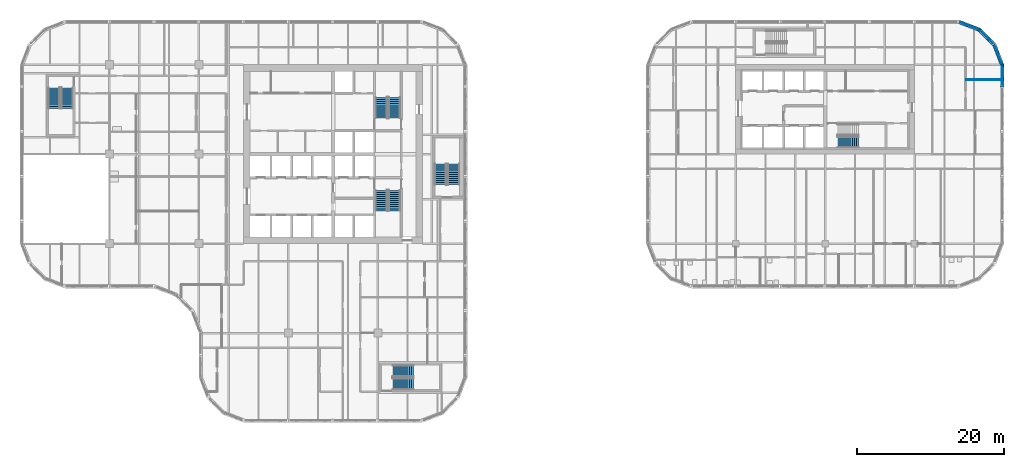
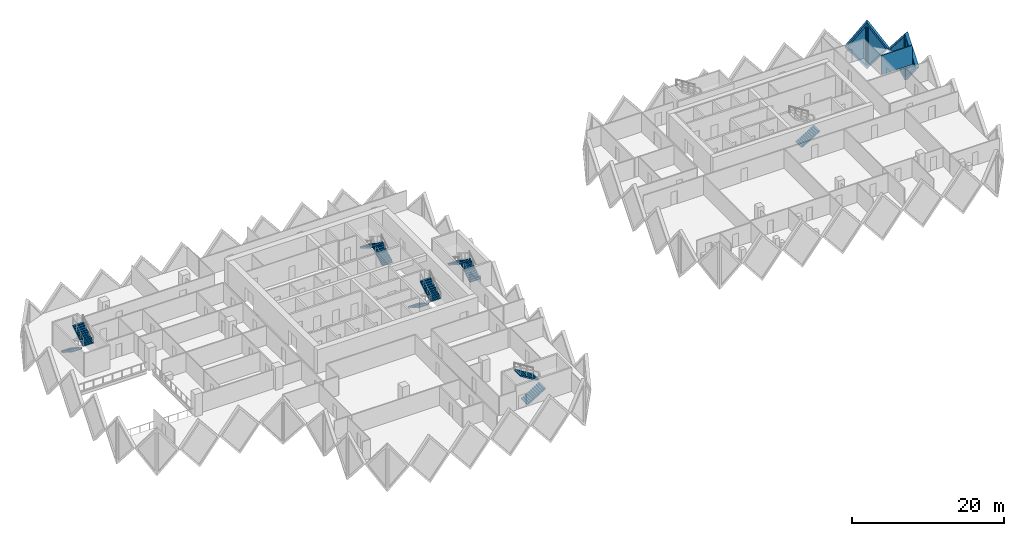
# One storey, part 16 of 20: 11 stair flights, 5 walls, 4 plates, 4 openings, 6 elements without a shape of their own.
"""IFC4 building model written with IfcOpenShell, lengths in metres."""

from ifc_helpers import new_model, si_unit, direction, frame, frame_2d, origin, place, context, subcontext, project, spatial, polyline, rectangle, outline, extrude, faceted_brep, source, transform, mapped, material, layer, layer_set, type_object, element, fill, aggregate, save


model = new_model("IFC4")

# Units and contexts
model_context = context("Model", 3, precision=1e-05, world=origin(), true_north=direction((0.0, 1.0)))
body_context = subcontext(model_context, "Body", "Model", "MODEL_VIEW")
ifc_project = project(units=[si_unit("LENGTHUNIT", "METRE"), si_unit("AREAUNIT", "SQUARE_METRE"), si_unit("VOLUMEUNIT", "CUBIC_METRE"), si_unit("PLANEANGLEUNIT", "RADIAN"), si_unit("MASSUNIT", "GRAM", prefix="KILO")], contexts=[model_context])

# Site, building, storey
site_placement = place(None, origin())
site = spatial("IfcSite", under=ifc_project, at=site_placement, CompositionType="ELEMENT")
building_placement = place(site_placement, origin())
building = spatial("IfcBuilding", under=site, at=building_placement, Name="Tessera Gate Towers", CompositionType="ELEMENT")
storey_placement = place(building_placement, frame((0.0, 0.0, 52.39990234375)))
storey = spatial("IfcBuildingStorey", under=building, at=storey_placement, Name="L12", CompositionType="ELEMENT", Elevation=52.39990234375)

# Wall
ifc_material_1 = material(Name="Gypsum board on steel studs", Category="steel")
ifc_layer_1 = layer(ifc_material_1, 0.10009765625)
ifc_layer_set_1 = layer_set([ifc_layer_1], Name="PARTITION 100")
wall_type_1 = type_object("IfcWallType", Name="PARTITION 100", PredefinedType="PARTITIONING", material=ifc_layer_set_1)
wall_1_placement = place(storey_placement, frame((129.02587890625, 46.7548828125, 0.0), z_axis=(0.0, 0.0, 1.0), x_axis=(1.0, 0.0, 0.0)))
element("IfcWall", 1, at=wall_1_placement, inside=storey, type_object=wall_type_1, Name="T2-L12-PW-036", PredefinedType="PARTITIONING", context=body_context, shape_type="SweptSolid", body=[
    extrude(rectangle(XDim=4.674072265625, YDim=0.10009765625, at=frame_2d((2.3369140625, 0.0))), origin(), (0.0, 0.0, 1.0), 3.067138671875),
])

# Wall, opening, plate
ifc_material_2 = material(Name="Precast concrete C60/75 white", Category="concrete")
ifc_layer_2 = layer(ifc_material_2, 0.5)
ifc_layer_set_2 = layer_set([ifc_layer_2], Name="TS3 corner tessera")
wall_type_2 = type_object("IfcWallType", Name="TS3 corner tessera", PredefinedType="SOLIDWALL", material=ifc_layer_set_2)
shared_shape_1 = source(origin(), body_context, "Body", "Brep", [
    faceted_brep([(3.00341796875, -0.25, 0.0), (3.050048828125, -0.25, 0.06005859375), (3.050048828125, -0.25, 7.539794921875), (3.00341796875, -0.25, 7.599853515625), (0.0, -0.25, 3.7998046875), (0.0, 0.25, 3.7998046875), (2.956787109375, 0.25, 7.541015625), (2.956787109375, 0.25, 0.058837890625), (3.00341796875, 0.000244140625, 0.0), (3.00341796875, 0.000244140625, 7.599853515625)], [[[0, 1, 2, 3, 4]], [[5, 6, 7]], [[1, 0, 8]], [[9, 3, 2]], [[6, 5, 4, 3, 9]], [[5, 7, 8, 0, 4]], [[1, 8, 7, 6, 9, 2]]]),
])
wall_2_placement = place(storey_placement, frame((133.949951171875, 45.75, -3.7998046875), z_axis=(0.0, 0.0, 1.0), x_axis=(0.0, 1.0, 0.0)))
wall_2 = element("IfcWall", 2, at=wall_2_placement, inside=storey, type_object=wall_type_2, Name="Precast corner tessera T2 TS3-0165", PredefinedType="SOLIDWALL", context=body_context, shape_type="MappedRepresentation", body=[
    mapped(shared_shape_1, transform((0.0, 0.0, 0.0), scale=1.0)),
])
shared_shape_2 = source(origin(), body_context, "Body", "SweptSolid", [
    extrude(outline(polyline([(2.803466796875, 6.943603515625), (0.318603515625, 3.7998046875), (2.803466796875, 0.656005859375), (2.803466796875, 6.943603515625)])), frame((0.0, 0.260009765625, 0.0), z_axis=(0.0, -1.0, 0.0), x_axis=(1.0, 0.0, 0.0)), (0.0, 0.0, 1.0), 0.52001953125),
])
opening_1_placement = place(wall_2_placement, origin())
opening_1 = element("IfcOpeningElement", 3, at=opening_1_placement, cuts=wall_2, Name="Opening T2-PL2-0251", PredefinedType="OPENING", context=body_context, shape_type="MappedRepresentation", body=[
    mapped(shared_shape_2, transform((0.0, 0.0, 0.0), scale=1.0)),
])
ifc_material_3 = material(Name="Low-e laminated glass", Category="glass")
ifc_layer_3 = layer(ifc_material_3, 0.06005859375)
ifc_layer_set_3 = layer_set([ifc_layer_3], Name="PL2 rhombic pane")
plate_type = type_object("IfcPlateType", Name="PL2 rhombic pane", PredefinedType="SHEET", material=ifc_layer_set_3)
shared_shape_3 = source(origin(), body_context, "Body", "SweptSolid", [
    extrude(outline(polyline([(2.803466796875, 6.943603515625), (0.318603515625, 3.7998046875), (2.803466796875, 0.656005859375), (2.803466796875, 6.943603515625)])), frame((0.0, 0.030029296875, 0.0), z_axis=(0.0, -1.0, 0.0), x_axis=(1.0, 0.0, 0.0)), (0.0, 0.0, 1.0), 0.06005859375),
])
plate_1_placement = place(opening_1_placement, origin())
plate_1 = element("IfcPlate", 4, at=plate_1_placement, inside=storey, type_object=plate_type, Name="Glass pane T2 PL2-0251", PredefinedType="SHEET", context=body_context, shape_type="MappedRepresentation", body=[
    mapped(shared_shape_3, transform((0.0, 0.0, 0.0), scale=1.0)),
])
fill(opening_1, plate_1)

shared_shape_4 = source(origin(), body_context, "Body", "Brep", [
    faceted_brep([(0.046630859375, -0.25, 0.0), (2.9970703125, -0.25, 3.7998046875), (0.046630859375, -0.25, 7.599853515625), (0.0, -0.25, 7.541015625), (0.0, -0.25, 0.058837890625), (0.09326171875, 0.25, 7.539794921875), (2.9443359375, 0.25, 3.867919921875), (2.9443359375, 0.25, 3.731689453125), (0.09326171875, 0.25, 0.06005859375), (2.9970703125, 0.00048828125, 3.7998046875), (0.046630859375, 0.0, 0.0), (0.046630859375, 0.0, 7.599853515625)], [[[0, 1, 2, 3, 4]], [[5, 6, 7, 8]], [[8, 7, 9, 1, 0, 10]], [[6, 5, 11, 2, 1, 9]], [[3, 2, 11]], [[10, 0, 4]], [[8, 10, 4, 3, 11, 5]], [[9, 7, 6]]]),
])
wall_3_placement = place(storey_placement, frame((133.966796875, 48.7099609375, -3.7998046875), z_axis=(0.0, 0.0, 1.0), x_axis=(-0.359901446078, 0.932990326376, 0.0)))
wall_3 = element("IfcWall", 5, at=wall_3_placement, inside=storey, type_object=wall_type_2, Name="Precast corner tessera T2 TS3-0166", PredefinedType="SOLIDWALL", context=body_context, shape_type="MappedRepresentation", body=[
    mapped(shared_shape_4, transform((0.0, 0.0, 0.0), scale=1.0)),
])
shared_shape_5 = source(origin(), body_context, "Body", "SweptSolid", [
    extrude(outline(polyline([(0.24658203125, 0.6650390625), (2.6806640625, 3.7998046875), (0.24658203125, 6.9345703125), (0.24658203125, 0.6650390625)])), frame((0.0, 0.260009765625, 0.0), z_axis=(0.0, -1.0, 0.0), x_axis=(1.0, 0.0, 0.0)), (0.0, 0.0, 1.0), 0.52001953125),
])
opening_2_placement = place(wall_3_placement, origin())
opening_2 = element("IfcOpeningElement", 6, at=opening_2_placement, cuts=wall_3, Name="Opening T2-PL2-0252", PredefinedType="OPENING", context=body_context, shape_type="MappedRepresentation", body=[
    mapped(shared_shape_5, transform((0.0, 0.0, 0.0), scale=1.0)),
])
shared_shape_6 = source(origin(), body_context, "Body", "SweptSolid", [
    extrude(outline(polyline([(0.24658203125, 0.6650390625), (2.6806640625, 3.7998046875), (0.24658203125, 6.9345703125), (0.24658203125, 0.6650390625)])), frame((0.0, 0.030029296875, 0.0), z_axis=(0.0, -1.0, 0.0), x_axis=(1.0, 0.0, 0.0)), (0.0, 0.0, 1.0), 0.06005859375),
])
plate_2_placement = place(opening_2_placement, origin())
plate_2 = element("IfcPlate", 7, at=plate_2_placement, inside=storey, type_object=plate_type, Name="Glass pane T2 PL2-0252", PredefinedType="SHEET", context=body_context, shape_type="MappedRepresentation", body=[
    mapped(shared_shape_6, transform((0.0, 0.0, 0.0), scale=1.0)),
])
fill(opening_2, plate_2)

shared_shape_7 = source(origin(), body_context, "Body", "Brep", [
    faceted_brep([(2.944091796875, -0.25, 0.0), (2.9970703125, -0.25, 0.068115234375), (2.9970703125, -0.25, 7.53173828125), (2.944091796875, -0.25, 7.599853515625), (0.0, -0.25, 3.7998046875), (0.052978515625, 0.25, 3.8681640625), (2.89111328125, 0.25, 7.53173828125), (2.89111328125, 0.25, 0.068115234375), (0.052978515625, 0.25, 3.7314453125), (2.944091796875, 0.000244140625, 0.0), (2.944091796875, 0.000244140625, 7.599853515625), (0.0, 0.0, 3.7998046875)], [[[0, 1, 2, 3, 4]], [[5, 6, 7, 8]], [[1, 0, 9]], [[10, 3, 2]], [[6, 5, 11, 4, 3, 10]], [[8, 7, 9, 0, 4, 11]], [[8, 11, 5]], [[1, 9, 7, 6, 10, 2]]]),
])
wall_4_placement = place(storey_placement, frame((132.88818359375, 51.50634765625, -3.7998046875), z_axis=(0.0, 0.0, 1.0), x_axis=(-0.707147509625, 0.707066050402, 0.0)))
wall_4 = element("IfcWall", 8, at=wall_4_placement, inside=storey, type_object=wall_type_2, Name="Precast corner tessera T2 TS3-0167", PredefinedType="SOLIDWALL", context=body_context, shape_type="MappedRepresentation", body=[
    mapped(shared_shape_7, transform((0.0, 0.0, 0.0), scale=1.0)),
])
shared_shape_8 = source(origin(), body_context, "Body", "SweptSolid", [
    extrude(outline(polyline([(2.744140625, 6.93359375), (0.316162109375, 3.7998046875), (2.744140625, 0.666259765625), (2.744140625, 6.93359375)])), frame((0.0, 0.260009765625, 0.0), z_axis=(0.0, -1.0, 0.0), x_axis=(1.0, 0.0, 0.0)), (0.0, 0.0, 1.0), 0.52001953125),
])
opening_3_placement = place(wall_4_placement, origin())
opening_3 = element("IfcOpeningElement", 9, at=opening_3_placement, cuts=wall_4, Name="Opening T2-PL2-0253", PredefinedType="OPENING", context=body_context, shape_type="MappedRepresentation", body=[
    mapped(shared_shape_8, transform((0.0, 0.0, 0.0), scale=1.0)),
])
shared_shape_9 = source(origin(), body_context, "Body", "SweptSolid", [
    extrude(outline(polyline([(2.744140625, 6.93359375), (0.316162109375, 3.7998046875), (2.744140625, 0.666259765625), (2.744140625, 6.93359375)])), frame((0.0, 0.030029296875, 0.0), z_axis=(0.0, -1.0, 0.0), x_axis=(1.0, 0.0, 0.0)), (0.0, 0.0, 1.0), 0.06005859375),
])
plate_3_placement = place(opening_3_placement, origin())
plate_3 = element("IfcPlate", 10, at=plate_3_placement, inside=storey, type_object=plate_type, Name="Glass pane T2 PL2-0253", PredefinedType="SHEET", context=body_context, shape_type="MappedRepresentation", body=[
    mapped(shared_shape_9, transform((0.0, 0.0, 0.0), scale=1.0)),
])
fill(opening_3, plate_3)

shared_shape_10 = source(origin(), body_context, "Body", "Brep", [
    faceted_brep([(0.052978515625, -0.25, 0.0), (3.00341796875, -0.25, 3.7998046875), (0.052978515625, -0.25, 7.599853515625), (0.0, -0.25, 7.531494140625), (0.0, -0.25, 0.068359375), (0.10595703125, 0.25, 7.53173828125), (2.95703125, 0.25, 3.859619140625), (2.95703125, 0.25, 3.739990234375), (0.10595703125, 0.25, 0.068115234375), (3.00341796875, 0.00048828125, 3.7998046875), (0.052978515625, 0.0, 0.0), (0.052978515625, 0.0, 7.599853515625)], [[[0, 1, 2, 3, 4]], [[5, 6, 7, 8]], [[8, 7, 9, 1, 0, 10]], [[6, 5, 11, 2, 1, 9]], [[3, 2, 11]], [[10, 0, 4]], [[8, 10, 4, 3, 11, 5]], [[9, 7, 6]]]),
])
wall_5_placement = place(storey_placement, frame((130.855712890625, 53.569091796875, -3.7998046875), z_axis=(0.0, 0.0, 1.0), x_axis=(-0.933007896601, 0.359855894603, 0.0)))
wall_5 = element("IfcWall", 11, at=wall_5_placement, inside=storey, type_object=wall_type_2, Name="Precast corner tessera T2 TS3-0168", PredefinedType="SOLIDWALL", context=body_context, shape_type="MappedRepresentation", body=[
    mapped(shared_shape_10, transform((0.0, 0.0, 0.0), scale=1.0)),
])
shared_shape_11 = source(origin(), body_context, "Body", "SweptSolid", [
    extrude(outline(polyline([(0.2529296875, 0.6650390625), (2.68701171875, 3.7998046875), (0.2529296875, 6.9345703125), (0.2529296875, 0.6650390625)])), frame((0.0, 0.260009765625, 0.0), z_axis=(0.0, -1.0, 0.0), x_axis=(1.0, 0.0, 0.0)), (0.0, 0.0, 1.0), 0.52001953125),
])
opening_4_placement = place(wall_5_placement, origin())
opening_4 = element("IfcOpeningElement", 12, at=opening_4_placement, cuts=wall_5, Name="Opening T2-PL2-0254", PredefinedType="OPENING", context=body_context, shape_type="MappedRepresentation", body=[
    mapped(shared_shape_11, transform((0.0, 0.0, 0.0), scale=1.0)),
])
shared_shape_12 = source(origin(), body_context, "Body", "SweptSolid", [
    extrude(outline(polyline([(0.2529296875, 0.6650390625), (2.68701171875, 3.7998046875), (0.2529296875, 6.9345703125), (0.2529296875, 0.6650390625)])), frame((0.0, 0.030029296875, 0.0), z_axis=(0.0, -1.0, 0.0), x_axis=(1.0, 0.0, 0.0)), (0.0, 0.0, 1.0), 0.06005859375),
])
plate_4_placement = place(opening_4_placement, origin())
plate_4 = element("IfcPlate", 13, at=plate_4_placement, inside=storey, type_object=plate_type, Name="Glass pane T2 PL2-0254", PredefinedType="SHEET", context=body_context, shape_type="MappedRepresentation", body=[
    mapped(shared_shape_12, transform((0.0, 0.0, 0.0), scale=1.0)),
])
fill(opening_4, plate_4)

# Stair, stair flights
ifc_material_4 = material(Name="Concrete C40/50", Category="concrete")
stair_type_1 = type_object("IfcStairType", Name="EXIT STAIR ST1 1600", PredefinedType="HALF_TURN_STAIR", material=ifc_material_4)
stair_1_placement = place(storey_placement, origin())
stair_1 = element("IfcStair", 14, at=stair_1_placement, inside=storey, type_object=stair_type_1, Name="L12 Protected Exit Stair ST1", PredefinedType="HALF_TURN_STAIR")
ifc_material_5 = material(Name="Concrete C40/50", Category="concrete")
stair_flight_type_1 = type_object("IfcStairFlightType", Name="EXIT STAIR FLIGHT ST1 1600", PredefinedType="STRAIGHT", material=ifc_material_5)
stair_flight_1_placement = place(storey_placement, frame((49.27490234375, 31.675048828125, 0.0), z_axis=(0.0, 0.0, 1.0), x_axis=(0.0, -1.0, 0.0)))
stair_flight_1 = element("IfcStairFlight", 15, at=stair_flight_1_placement, type_object=stair_flight_type_1, Name="ST1 flight 1", NumberOfRisers=11, NumberOfTreads=10, PredefinedType="STRAIGHT", RiserHeight=0.172727273, TreadLength=0.28, context=body_context, shape_type="SweptSolid", body=[
    extrude(outline(polyline([(0.0, 0.0), (0.0, 0.172607421875), (0.280029296875, 0.172607421875), (0.280029296875, 0.345458984375), (0.56005859375, 0.345458984375), (0.56005859375, 0.51806640625), (0.840087890625, 0.51806640625), (0.840087890625, 0.69091796875), (1.1201171875, 0.69091796875), (1.1201171875, 0.863525390625), (1.39990234375, 0.863525390625), (1.39990234375, 1.036376953125), (1.679931640625, 1.036376953125), (1.679931640625, 1.208984375), (1.9599609375, 1.208984375), (1.9599609375, 1.3818359375), (2.239990234375, 1.3818359375), (2.239990234375, 1.554443359375), (2.52001953125, 1.554443359375), (2.52001953125, 1.727294921875), (2.800048828125, 1.727294921875), (2.800048828125, 1.89990234375), (2.800048828125, 1.551025390625), (0.285400390625, 0.0), (0.0, 0.0)])), frame((0.0, 0.800048828125, 0.0), z_axis=(0.0, -1.0, 0.0), x_axis=(1.0, 0.0, 0.0)), (0.0, 0.0, 1.0), 1.60009765625),
])
stair_flight_2_placement = place(storey_placement, frame((51.074951171875, 28.875, 1.900146484375), z_axis=(0.0, 0.0, 1.0), x_axis=(0.0, 1.0, 0.0)))
stair_flight_2 = element("IfcStairFlight", 16, at=stair_flight_2_placement, type_object=stair_flight_type_1, Name="ST1 flight 2", NumberOfRisers=11, NumberOfTreads=10, PredefinedType="STRAIGHT", RiserHeight=0.172727273, TreadLength=0.28, context=body_context, shape_type="SweptSolid", body=[
    extrude(outline(polyline([(0.0, 0.0), (0.0, 0.172607421875), (0.280029296875, 0.172607421875), (0.280029296875, 0.345458984375), (0.56005859375, 0.345458984375), (0.56005859375, 0.51806640625), (0.840087890625, 0.51806640625), (0.840087890625, 0.69091796875), (1.1201171875, 0.69091796875), (1.1201171875, 0.863525390625), (1.39990234375, 0.863525390625), (1.39990234375, 1.036376953125), (1.679931640625, 1.036376953125), (1.679931640625, 1.208984375), (1.9599609375, 1.208984375), (1.9599609375, 1.3818359375), (2.239990234375, 1.3818359375), (2.239990234375, 1.554443359375), (2.52001953125, 1.554443359375), (2.52001953125, 1.727294921875), (2.800048828125, 1.727294921875), (2.800048828125, 1.89990234375), (2.800048828125, 1.551025390625), (0.285400390625, 0.0), (0.0, 0.0)])), frame((0.0, 0.800048828125, 0.0), z_axis=(0.0, -1.0, 0.0), x_axis=(1.0, 0.0, 0.0)), (0.0, 0.0, 1.0), 1.60009765625),
])
aggregate(stair_1, [stair_flight_1, stair_flight_2])

ifc_material_6 = material(Name="Concrete C40/50", Category="concrete")
stair_type_2 = type_object("IfcStairType", Name="EXIT STAIR ST2 1600", PredefinedType="HALF_TURN_STAIR", material=ifc_material_6)
stair_2_placement = place(storey_placement, origin())
stair_2 = element("IfcStair", 17, at=stair_2_placement, inside=storey, type_object=stair_type_2, Name="L12 Protected Exit Stair ST2", PredefinedType="HALF_TURN_STAIR")
ifc_material_7 = material(Name="Concrete C40/50", Category="concrete")
stair_flight_type_2 = type_object("IfcStairFlightType", Name="EXIT STAIR FLIGHT ST2 1600", PredefinedType="STRAIGHT", material=ifc_material_7)
stair_flight_3_placement = place(storey_placement, frame((51.074951171875, 41.52490234375, 0.0), z_axis=(0.0, 0.0, 1.0), x_axis=(0.0, 1.0, 0.0)))
stair_flight_3 = element("IfcStairFlight", 18, at=stair_flight_3_placement, type_object=stair_flight_type_2, Name="ST2 flight 1", NumberOfRisers=11, NumberOfTreads=10, PredefinedType="STRAIGHT", RiserHeight=0.172727273, TreadLength=0.28, context=body_context, shape_type="SweptSolid", body=[
    extrude(outline(polyline([(0.0, 0.0), (0.0, 0.172607421875), (0.280029296875, 0.172607421875), (0.280029296875, 0.345458984375), (0.56005859375, 0.345458984375), (0.56005859375, 0.51806640625), (0.840087890625, 0.51806640625), (0.840087890625, 0.69091796875), (1.1201171875, 0.69091796875), (1.1201171875, 0.863525390625), (1.39990234375, 0.863525390625), (1.39990234375, 1.036376953125), (1.679931640625, 1.036376953125), (1.679931640625, 1.208984375), (1.9599609375, 1.208984375), (1.9599609375, 1.3818359375), (2.239990234375, 1.3818359375), (2.239990234375, 1.554443359375), (2.52001953125, 1.554443359375), (2.52001953125, 1.727294921875), (2.800048828125, 1.727294921875), (2.800048828125, 1.89990234375), (2.800048828125, 1.551025390625), (0.285400390625, 0.0), (0.0, 0.0)])), frame((0.0, 0.800048828125, 0.0), z_axis=(0.0, -1.0, 0.0), x_axis=(1.0, 0.0, 0.0)), (0.0, 0.0, 1.0), 1.60009765625),
])
stair_flight_4_placement = place(storey_placement, frame((49.27490234375, 44.324951171875, 1.900146484375), z_axis=(0.0, 0.0, 1.0), x_axis=(0.0, -1.0, 0.0)))
stair_flight_4 = element("IfcStairFlight", 19, at=stair_flight_4_placement, type_object=stair_flight_type_2, Name="ST2 flight 2", NumberOfRisers=11, NumberOfTreads=10, PredefinedType="STRAIGHT", RiserHeight=0.172727273, TreadLength=0.28, context=body_context, shape_type="SweptSolid", body=[
    extrude(outline(polyline([(0.0, 0.0), (0.0, 0.172607421875), (0.280029296875, 0.172607421875), (0.280029296875, 0.345458984375), (0.56005859375, 0.345458984375), (0.56005859375, 0.51806640625), (0.840087890625, 0.51806640625), (0.840087890625, 0.69091796875), (1.1201171875, 0.69091796875), (1.1201171875, 0.863525390625), (1.39990234375, 0.863525390625), (1.39990234375, 1.036376953125), (1.679931640625, 1.036376953125), (1.679931640625, 1.208984375), (1.9599609375, 1.208984375), (1.9599609375, 1.3818359375), (2.239990234375, 1.3818359375), (2.239990234375, 1.554443359375), (2.52001953125, 1.554443359375), (2.52001953125, 1.727294921875), (2.800048828125, 1.727294921875), (2.800048828125, 1.89990234375), (2.800048828125, 1.551025390625), (0.285400390625, 0.0), (0.0, 0.0)])), frame((0.0, 0.800048828125, 0.0), z_axis=(0.0, -1.0, 0.0), x_axis=(1.0, 0.0, 0.0)), (0.0, 0.0, 1.0), 1.60009765625),
])
aggregate(stair_2, [stair_flight_3, stair_flight_4])

ifc_material_8 = material(Name="Concrete C40/50", Category="concrete")
stair_type_3 = type_object("IfcStairType", Name="EXIT STAIR ST3 1600", PredefinedType="HALF_TURN_STAIR", material=ifc_material_8)
stair_3_placement = place(storey_placement, origin())
stair_3 = element("IfcStair", 20, at=stair_3_placement, inside=storey, type_object=stair_type_3, Name="L12 West Exit Stair ST3", PredefinedType="HALF_TURN_STAIR")
ifc_material_9 = material(Name="Concrete C40/50", Category="concrete")
stair_flight_type_3 = type_object("IfcStairFlightType", Name="EXIT STAIR FLIGHT ST3 1600", PredefinedType="STRAIGHT", material=ifc_material_9)
stair_flight_5_placement = place(storey_placement, frame((4.64990234375, 45.64990234375, 0.0), z_axis=(0.0, 0.0, 1.0), x_axis=(0.0, -1.0, 0.0)))
stair_flight_5 = element("IfcStairFlight", 21, at=stair_flight_5_placement, type_object=stair_flight_type_3, Name="ST3 flight 1", NumberOfRisers=11, NumberOfTreads=10, PredefinedType="STRAIGHT", RiserHeight=0.172727273, TreadLength=0.28, context=body_context, shape_type="SweptSolid", body=[
    extrude(outline(polyline([(0.0, 0.0), (0.0, 0.172607421875), (0.280029296875, 0.172607421875), (0.280029296875, 0.345458984375), (0.56005859375, 0.345458984375), (0.56005859375, 0.51806640625), (0.840087890625, 0.51806640625), (0.840087890625, 0.69091796875), (1.1201171875, 0.69091796875), (1.1201171875, 0.863525390625), (1.39990234375, 0.863525390625), (1.39990234375, 1.036376953125), (1.679931640625, 1.036376953125), (1.679931640625, 1.208984375), (1.9599609375, 1.208984375), (1.9599609375, 1.3818359375), (2.239990234375, 1.3818359375), (2.239990234375, 1.554443359375), (2.52001953125, 1.554443359375), (2.52001953125, 1.727294921875), (2.800048828125, 1.727294921875), (2.800048828125, 1.89990234375), (2.800048828125, 1.551025390625), (0.285400390625, 0.0), (0.0, 0.0)])), frame((0.0, 0.800048828125, 0.0), z_axis=(0.0, -1.0, 0.0), x_axis=(1.0, 0.0, 0.0)), (0.0, 0.0, 1.0), 1.60009765625),
])
stair_flight_6_placement = place(storey_placement, frame((6.449951171875, 42.85009765625, 1.900146484375), z_axis=(0.0, 0.0, 1.0), x_axis=(0.0, 1.0, 0.0)))
stair_flight_6 = element("IfcStairFlight", 22, at=stair_flight_6_placement, type_object=stair_flight_type_3, Name="ST3 flight 2", NumberOfRisers=11, NumberOfTreads=10, PredefinedType="STRAIGHT", RiserHeight=0.172727273, TreadLength=0.28, context=body_context, shape_type="SweptSolid", body=[
    extrude(outline(polyline([(0.0, 0.0), (0.0, 0.172607421875), (0.280029296875, 0.172607421875), (0.280029296875, 0.345458984375), (0.56005859375, 0.345458984375), (0.56005859375, 0.51806640625), (0.840087890625, 0.51806640625), (0.840087890625, 0.69091796875), (1.1201171875, 0.69091796875), (1.1201171875, 0.863525390625), (1.39990234375, 0.863525390625), (1.39990234375, 1.036376953125), (1.679931640625, 1.036376953125), (1.679931640625, 1.208984375), (1.9599609375, 1.208984375), (1.9599609375, 1.3818359375), (2.239990234375, 1.3818359375), (2.239990234375, 1.554443359375), (2.52001953125, 1.554443359375), (2.52001953125, 1.727294921875), (2.800048828125, 1.727294921875), (2.800048828125, 1.89990234375), (2.800048828125, 1.551025390625), (0.285400390625, 0.0), (0.0, 0.0)])), frame((0.0, 0.800048828125, 0.0), z_axis=(0.0, -1.0, 0.0), x_axis=(1.0, 0.0, 0.0)), (0.0, 0.0, 1.0), 1.60009765625),
])
aggregate(stair_3, [stair_flight_5, stair_flight_6])

ifc_material_10 = material(Name="Concrete C40/50", Category="concrete")
stair_type_4 = type_object("IfcStairType", Name="EXIT STAIR ST4 1600", PredefinedType="HALF_TURN_STAIR", material=ifc_material_10)
stair_4_placement = place(storey_placement, origin())
stair_4 = element("IfcStair", 23, at=stair_4_placement, inside=storey, type_object=stair_type_4, Name="L12 South Exit Stair ST4", PredefinedType="HALF_TURN_STAIR")
ifc_material_11 = material(Name="Concrete C40/50", Category="concrete")
stair_flight_type_4 = type_object("IfcStairFlightType", Name="EXIT STAIR FLIGHT ST4 1600", PredefinedType="STRAIGHT", material=ifc_material_11)
stair_flight_7_placement = place(storey_placement, frame((50.85009765625, 5.25, 0.0), z_axis=(0.0, 0.0, 1.0), x_axis=(1.0, 0.0, 0.0)))
stair_flight_7 = element("IfcStairFlight", 24, at=stair_flight_7_placement, type_object=stair_flight_type_4, Name="ST4 flight 1", NumberOfRisers=11, NumberOfTreads=10, PredefinedType="STRAIGHT", RiserHeight=0.172727273, TreadLength=0.28, context=body_context, shape_type="SweptSolid", body=[
    extrude(outline(polyline([(0.0, 0.0), (0.0, 0.172607421875), (0.280029296875, 0.172607421875), (0.280029296875, 0.345458984375), (0.56005859375, 0.345458984375), (0.56005859375, 0.51806640625), (0.840087890625, 0.51806640625), (0.840087890625, 0.69091796875), (1.1201171875, 0.69091796875), (1.1201171875, 0.863525390625), (1.39990234375, 0.863525390625), (1.39990234375, 1.036376953125), (1.679931640625, 1.036376953125), (1.679931640625, 1.208984375), (1.9599609375, 1.208984375), (1.9599609375, 1.3818359375), (2.239990234375, 1.3818359375), (2.239990234375, 1.554443359375), (2.52001953125, 1.554443359375), (2.52001953125, 1.727294921875), (2.800048828125, 1.727294921875), (2.800048828125, 1.89990234375), (2.800048828125, 1.551025390625), (0.285400390625, 0.0), (0.0, 0.0)])), frame((0.0, 0.800048828125, 0.0), z_axis=(0.0, -1.0, 0.0), x_axis=(1.0, 0.0, 0.0)), (0.0, 0.0, 1.0), 1.60009765625),
])
stair_flight_8_placement = place(storey_placement, frame((53.64990234375, 7.050048828125, 1.900146484375), z_axis=(0.0, 0.0, 1.0), x_axis=(-1.0, 0.0, 0.0)))
stair_flight_8 = element("IfcStairFlight", 25, at=stair_flight_8_placement, type_object=stair_flight_type_4, Name="ST4 flight 2", NumberOfRisers=11, NumberOfTreads=10, PredefinedType="STRAIGHT", RiserHeight=0.172727273, TreadLength=0.28, context=body_context, shape_type="SweptSolid", body=[
    extrude(outline(polyline([(0.0, 0.0), (0.0, 0.172607421875), (0.280029296875, 0.172607421875), (0.280029296875, 0.345458984375), (0.56005859375, 0.345458984375), (0.56005859375, 0.51806640625), (0.840087890625, 0.51806640625), (0.840087890625, 0.69091796875), (1.1201171875, 0.69091796875), (1.1201171875, 0.863525390625), (1.39990234375, 0.863525390625), (1.39990234375, 1.036376953125), (1.679931640625, 1.036376953125), (1.679931640625, 1.208984375), (1.9599609375, 1.208984375), (1.9599609375, 1.3818359375), (2.239990234375, 1.3818359375), (2.239990234375, 1.554443359375), (2.52001953125, 1.554443359375), (2.52001953125, 1.727294921875), (2.800048828125, 1.727294921875), (2.800048828125, 1.89990234375), (2.800048828125, 1.551025390625), (0.285400390625, 0.0), (0.0, 0.0)])), frame((0.0, 0.800048828125, 0.0), z_axis=(0.0, -1.0, 0.0), x_axis=(1.0, 0.0, 0.0)), (0.0, 0.0, 1.0), 1.60009765625),
])
aggregate(stair_4, [stair_flight_7, stair_flight_8])

ifc_material_12 = material(Name="Concrete C40/50", Category="concrete")
stair_type_5 = type_object("IfcStairType", Name="EXIT STAIR ST5 1600", PredefinedType="HALF_TURN_STAIR", material=ifc_material_12)
stair_5_placement = place(storey_placement, origin())
stair_5 = element("IfcStair", 26, at=stair_5_placement, inside=storey, type_object=stair_type_5, Name="L12 East Exit Stair ST5", PredefinedType="HALF_TURN_STAIR")
ifc_material_13 = material(Name="Concrete C40/50", Category="concrete")
stair_flight_type_5 = type_object("IfcStairFlightType", Name="EXIT STAIR FLIGHT ST5 1600", PredefinedType="STRAIGHT", material=ifc_material_13)
stair_flight_9_placement = place(storey_placement, frame((59.14990234375, 32.449951171875, 0.0), z_axis=(0.0, 0.0, 1.0), x_axis=(0.0, 1.0, 0.0)))
stair_flight_9 = element("IfcStairFlight", 27, at=stair_flight_9_placement, type_object=stair_flight_type_5, Name="ST5 flight 1", NumberOfRisers=11, NumberOfTreads=10, PredefinedType="STRAIGHT", RiserHeight=0.172727273, TreadLength=0.28, context=body_context, shape_type="SweptSolid", body=[
    extrude(outline(polyline([(0.0, 0.0), (0.0, 0.172607421875), (0.280029296875, 0.172607421875), (0.280029296875, 0.345458984375), (0.56005859375, 0.345458984375), (0.56005859375, 0.51806640625), (0.840087890625, 0.51806640625), (0.840087890625, 0.69091796875), (1.1201171875, 0.69091796875), (1.1201171875, 0.863525390625), (1.39990234375, 0.863525390625), (1.39990234375, 1.036376953125), (1.679931640625, 1.036376953125), (1.679931640625, 1.208984375), (1.9599609375, 1.208984375), (1.9599609375, 1.3818359375), (2.239990234375, 1.3818359375), (2.239990234375, 1.554443359375), (2.52001953125, 1.554443359375), (2.52001953125, 1.727294921875), (2.800048828125, 1.727294921875), (2.800048828125, 1.89990234375), (2.800048828125, 1.551025390625), (0.285400390625, 0.0), (0.0, 0.0)])), frame((0.0, 0.800048828125, 0.0), z_axis=(0.0, -1.0, 0.0), x_axis=(1.0, 0.0, 0.0)), (0.0, 0.0, 1.0), 1.60009765625),
])
stair_flight_10_placement = place(storey_placement, frame((57.35009765625, 35.25, 1.900146484375), z_axis=(0.0, 0.0, 1.0), x_axis=(0.0, -1.0, 0.0)))
stair_flight_10 = element("IfcStairFlight", 28, at=stair_flight_10_placement, type_object=stair_flight_type_5, Name="ST5 flight 2", NumberOfRisers=11, NumberOfTreads=10, PredefinedType="STRAIGHT", RiserHeight=0.172727273, TreadLength=0.28, context=body_context, shape_type="SweptSolid", body=[
    extrude(outline(polyline([(0.0, 0.0), (0.0, 0.172607421875), (0.280029296875, 0.172607421875), (0.280029296875, 0.345458984375), (0.56005859375, 0.345458984375), (0.56005859375, 0.51806640625), (0.840087890625, 0.51806640625), (0.840087890625, 0.69091796875), (1.1201171875, 0.69091796875), (1.1201171875, 0.863525390625), (1.39990234375, 0.863525390625), (1.39990234375, 1.036376953125), (1.679931640625, 1.036376953125), (1.679931640625, 1.208984375), (1.9599609375, 1.208984375), (1.9599609375, 1.3818359375), (2.239990234375, 1.3818359375), (2.239990234375, 1.554443359375), (2.52001953125, 1.554443359375), (2.52001953125, 1.727294921875), (2.800048828125, 1.727294921875), (2.800048828125, 1.89990234375), (2.800048828125, 1.551025390625), (0.285400390625, 0.0), (0.0, 0.0)])), frame((0.0, 0.800048828125, 0.0), z_axis=(0.0, -1.0, 0.0), x_axis=(1.0, 0.0, 0.0)), (0.0, 0.0, 1.0), 1.60009765625),
])
aggregate(stair_5, [stair_flight_9, stair_flight_10])

# Stair, stair flight
ifc_material_14 = material(Name="Concrete C40/50", Category="concrete")
stair_type_6 = type_object("IfcStairType", Name="EXIT STAIR ST6 1500", PredefinedType="HALF_TURN_STAIR", material=ifc_material_14)
stair_6_placement = place(storey_placement, origin())
stair_6 = element("IfcStair", 29, at=stair_6_placement, inside=storey, type_object=stair_type_6, Name="L12 Protected Exit Stair ST6", PredefinedType="HALF_TURN_STAIR")
ifc_material_15 = material(Name="Concrete C40/50", Category="concrete")
stair_flight_type_6 = type_object("IfcStairFlightType", Name="EXIT STAIR FLIGHT ST6 1500", PredefinedType="STRAIGHT", material=ifc_material_15)
stair_flight_11_placement = place(storey_placement, frame((111.550048828125, 38.25, 0.0), z_axis=(0.0, 0.0, 1.0), x_axis=(1.0, 0.0, 0.0)))
stair_flight_11 = element("IfcStairFlight", 30, at=stair_flight_11_placement, type_object=stair_flight_type_6, Name="ST6 flight 1", NumberOfRisers=11, NumberOfTreads=10, PredefinedType="STRAIGHT", RiserHeight=0.172727273, TreadLength=0.28, context=body_context, shape_type="SweptSolid", body=[
    extrude(outline(polyline([(0.0, 0.0), (0.0, 0.172607421875), (0.280029296875, 0.172607421875), (0.280029296875, 0.345458984375), (0.56005859375, 0.345458984375), (0.56005859375, 0.51806640625), (0.840087890625, 0.51806640625), (0.840087890625, 0.69091796875), (1.1201171875, 0.69091796875), (1.1201171875, 0.863525390625), (1.39990234375, 0.863525390625), (1.39990234375, 1.036376953125), (1.679931640625, 1.036376953125), (1.679931640625, 1.208984375), (1.9599609375, 1.208984375), (1.9599609375, 1.3818359375), (2.239990234375, 1.3818359375), (2.239990234375, 1.554443359375), (2.52001953125, 1.554443359375), (2.52001953125, 1.727294921875), (2.800048828125, 1.727294921875), (2.800048828125, 1.89990234375), (2.800048828125, 1.551025390625), (0.285400390625, 0.0), (0.0, 0.0)])), frame((0.0, 0.75, 0.0), z_axis=(0.0, -1.0, 0.0), x_axis=(1.0, 0.0, 0.0)), (0.0, 0.0, 1.0), 1.5),
])
aggregate(stair_6, [stair_flight_11])

save(model, "model.ifc")
